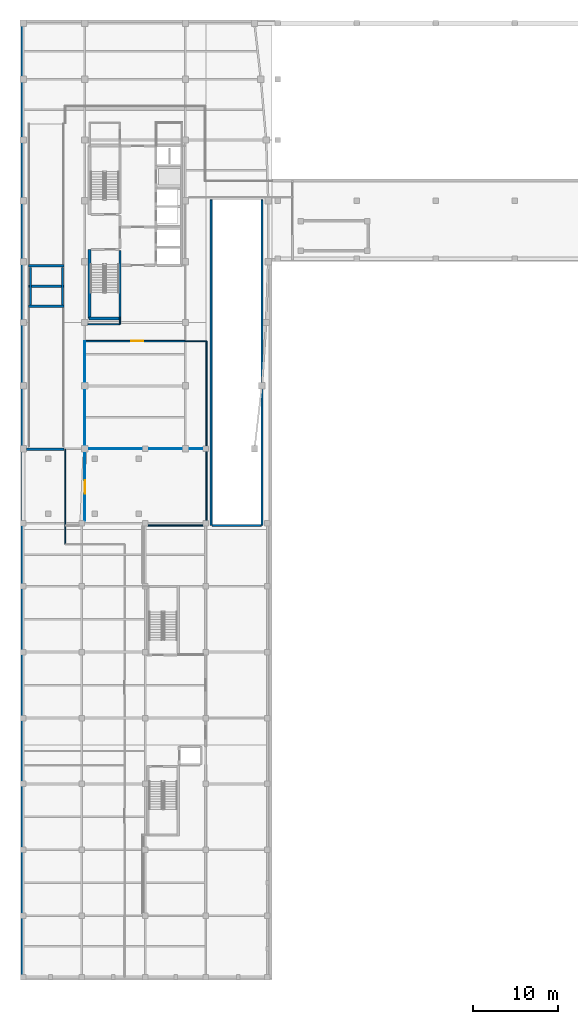
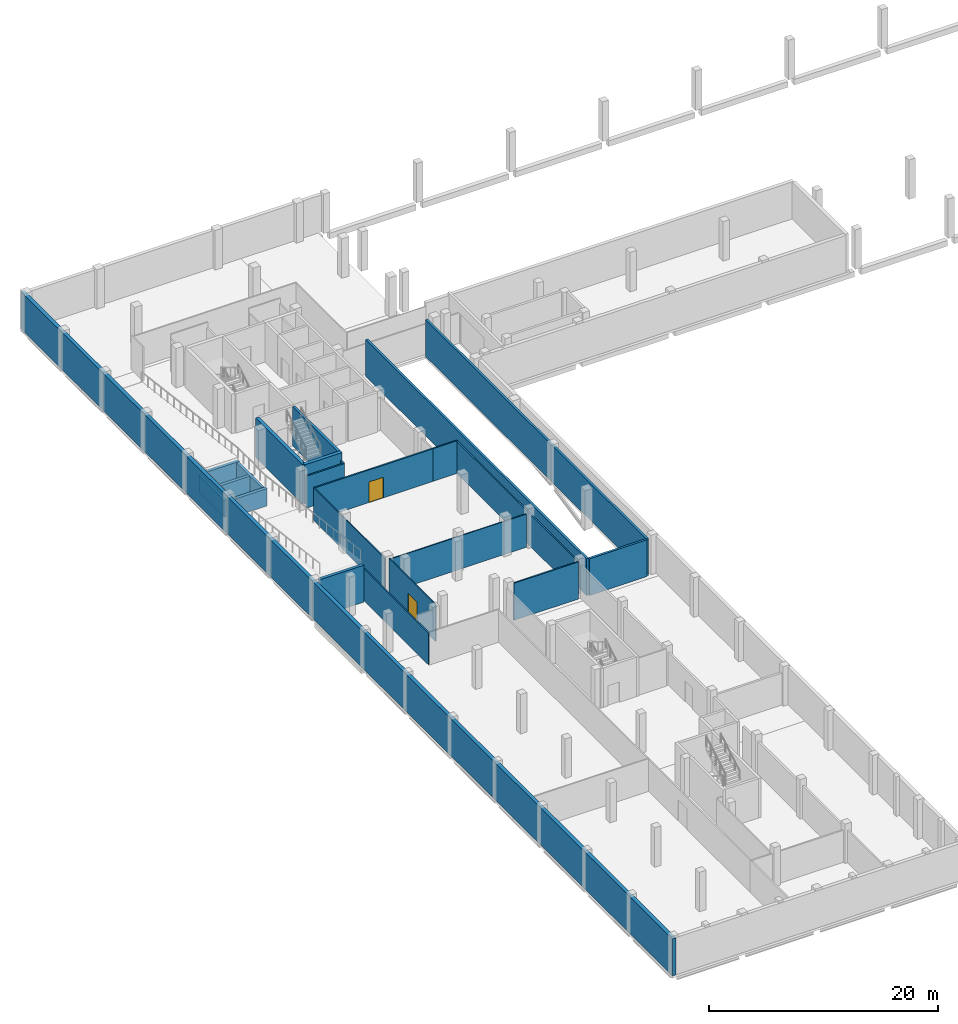
# One storey, part 6 of 15: 23 walls, 2 doors, 2 openings.
"""IFC4 building model written with IfcOpenShell, lengths in metres."""

from ifc_helpers import new_model, si_unit, direction, frame, frame_2d, origin, place, context, subcontext, project, spatial, rectangle, extrude, material, layer, layer_set, type_object, element, fill, save


model = new_model("IFC4")

# Units and contexts
model_context = context("Model", 3, precision=1e-05, world=origin(), true_north=direction((0.0, 1.0)))
body_context = subcontext(model_context, "Body", "Model", "MODEL_VIEW")
ifc_project = project(units=[si_unit("LENGTHUNIT", "METRE"), si_unit("AREAUNIT", "SQUARE_METRE"), si_unit("VOLUMEUNIT", "CUBIC_METRE"), si_unit("PLANEANGLEUNIT", "RADIAN"), si_unit("MASSUNIT", "GRAM", prefix="KILO")], contexts=[model_context])

# Site, building, storey
site_placement = place(None, origin())
site = spatial("IfcSite", under=ifc_project, at=site_placement, CompositionType="ELEMENT")
building_placement = place(site_placement, origin())
building = spatial("IfcBuilding", under=site, at=building_placement, Name="Quillay Park Conservatory", CompositionType="ELEMENT")
storey_placement = place(building_placement, frame((0.0, 0.0, -4.199951171875)))
storey = spatial("IfcBuildingStorey", under=building, at=storey_placement, Name="B1", CompositionType="ELEMENT", Elevation=-4.199951171875)

# Walls
ifc_material_1 = material(Name="Steel-Stud Acoustic Gypsum Board Partition", Category="steel")
ifc_layer_1 = layer(ifc_material_1, 0.10009765625)
ifc_layer_set_1 = layer_set([ifc_layer_1], Name="ACOUSTIC GYPSUM PARTITION 100 (Steel-Stud Acoustic Gypsum Board Partition)")
wall_type_1 = type_object("IfcWallType", Name="ACOUSTIC GYPSUM PARTITION 100", PredefinedType="PARTITIONING", material=ifc_layer_set_1)
wall_1_placement = place(storey_placement, frame((7.85009765625, 75.800048828125, 0.0), z_axis=(0.0, 0.0, 1.0), x_axis=(0.0, -1.0, 0.0)))
element("IfcWall", 1, at=wall_1_placement, inside=storey, type_object=wall_type_1, Name="B1 Water/Library West Wall", PredefinedType="PARTITIONING", context=body_context, shape_type="SweptSolid", body=[
    extrude(rectangle(XDim=12.380126953125, YDim=0.10009765625, at=frame_2d((6.18994140625, 0.0))), origin(), (0.0, 0.0, 1.0), 3.47705078125),
])
ifc_material_2 = material(Name="Steel-Stud Acoustic Gypsum Board Partition", Category="steel")
ifc_layer_2 = layer(ifc_material_2, 0.10498046875)
ifc_layer_set_2 = layer_set([ifc_layer_2], Name="ACOUSTIC GYPSUM PARTITION 105 (Steel-Stud Acoustic Gypsum Board Partition)")
wall_type_2 = type_object("IfcWallType", Name="ACOUSTIC GYPSUM PARTITION 105", PredefinedType="PARTITIONING", material=ifc_layer_set_2)
wall_2_placement = place(storey_placement, frame((8.219970703125, 63.050048828125, 0.0), z_axis=(0.0, 0.0, 1.0), x_axis=(1.0, 0.0, 0.0)))
element("IfcWall", 2, at=wall_2_placement, inside=storey, type_object=wall_type_2, Name="B1 Sub-Plant Mid Divider", PredefinedType="PARTITIONING", context=body_context, shape_type="SweptSolid", body=[
    extrude(rectangle(XDim=13.610107421875, YDim=0.10498046875, at=frame_2d((6.80517578125, 0.0))), origin(), (0.0, 0.0, 1.0), 3.52685546875),
])

# Wall, opening, door
ifc_material_3 = material(Name="Steel-Stud Acoustic Gypsum Board Partition", Category="steel")
ifc_layer_3 = layer(ifc_material_3, 0.110107421875)
ifc_layer_set_3 = layer_set([ifc_layer_3], Name="ACOUSTIC GYPSUM PARTITION 110 (Steel-Stud Acoustic Gypsum Board Partition)")
wall_type_3 = type_object("IfcWallType", Name="ACOUSTIC GYPSUM PARTITION 110", PredefinedType="PARTITIONING", material=ifc_layer_set_3)
wall_3_placement = place(storey_placement, frame((7.85009765625, 54.570068359375, 0.0), z_axis=(0.0, 0.0, 1.0), x_axis=(0.0, 1.0, 0.0)))
wall_3 = element("IfcWall", 3, at=wall_3_placement, inside=storey, type_object=wall_type_3, Name="B1 Sub-Plant West Wall", PredefinedType="PARTITIONING", context=body_context, shape_type="SweptSolid", body=[
    extrude(rectangle(XDim=8.10986328125, YDim=0.110107421875, at=frame_2d((4.054931640625, 0.0))), origin(), (0.0, 0.0, 1.0), 3.949951171875),
])
opening_1_placement = place(wall_3_placement, frame((3.159912109375, 0.0, 0.0)))
opening_1 = element("IfcOpeningElement", 4, at=opening_1_placement, cuts=wall_3, Name="Opening D-PL02", PredefinedType="OPENING", context=body_context, shape_type="SweptSolid", body=[
    extrude(rectangle(XDim=1.60009765625, YDim=2.25, at=frame_2d((0.800048828125, 1.125))), frame((0.0, 0.05517578125, 0.0), z_axis=(0.0, -1.0, 0.0), x_axis=(1.0, 0.0, 0.0)), (0.0, 0.0, 1.0), 0.110107421875),
])
ifc_material_4 = material(Name="Steel ASTM A572 Grade 50", Category="steel")
door_type_1 = type_object("IfcDoorType", Name="FIRE RATED PLANT DOOR 1600 X2250", OperationType="NOTDEFINED", PredefinedType="DOOR", material=ifc_material_4)
door_1_placement = place(opening_1_placement, origin())
door_1 = element("IfcDoor", 5, at=door_1_placement, inside=storey, type_object=door_type_1, Name="B1 Door to B1 Transformer Substation and Standby Generator Room", OperationType="SINGLE_SWING_RIGHT", OverallHeight=2.25, OverallWidth=1.60009765625, PredefinedType="DOOR", context=body_context, shape_type="SweptSolid", body=[
    extrude(rectangle(XDim=1.60009765625, YDim=2.25, at=frame_2d((0.800048828125, 1.125))), frame((0.0, 0.02490234375, 0.0), z_axis=(0.0, -1.0, 0.0), x_axis=(1.0, 0.0, 0.0)), (0.0, 0.0, 1.0), 0.050048828125),
])
fill(opening_1, door_1)

# Walls
ifc_material_5 = material(Name="Steel-Stud Acoustic Gypsum Board Partition", Category="steel")
ifc_layer_4 = layer(ifc_material_5, 0.1201171875)
ifc_layer_set_4 = layer_set([ifc_layer_4], Name="ACOUSTIC GYPSUM PARTITION 120 (Steel-Stud Acoustic Gypsum Board Partition)")
wall_type_4 = type_object("IfcWallType", Name="ACOUSTIC GYPSUM PARTITION 120", PredefinedType="PARTITIONING", material=ifc_layer_set_4)
wall_4_placement = place(storey_placement, frame((5.550048828125, 63.0, 0.0), z_axis=(0.0, 0.0, 1.0), x_axis=(0.0, -1.0, 0.0)))
element("IfcWall", 6, at=wall_4_placement, inside=storey, type_object=wall_type_4, Name="B1 Spine West Wall South", PredefinedType="PARTITIONING", context=body_context, shape_type="SweptSolid", body=[
    extrude(rectangle(XDim=11.219970703125, YDim=0.1201171875, at=frame_2d((5.60986328125, 0.0))), origin(), (0.0, 0.0, 1.0), 3.40087890625),
])
ifc_material_6 = material(Name="Steel-Stud Acoustic Gypsum Board Partition", Category="steel")
ifc_layer_5 = layer(ifc_material_6, 0.1298828125)
ifc_layer_set_5 = layer_set([ifc_layer_5], Name="ACOUSTIC GYPSUM PARTITION 130 (Steel-Stud Acoustic Gypsum Board Partition)")
wall_type_5 = type_object("IfcWallType", Name="ACOUSTIC GYPSUM PARTITION 130", PredefinedType="PARTITIONING", material=ifc_layer_set_5)
wall_5_placement = place(storey_placement, frame((22.25, 54.570068359375, 0.0), z_axis=(0.0, 0.0, 1.0), x_axis=(0.0, 1.0, 0.0)))
element("IfcWall", 7, at=wall_5_placement, inside=storey, type_object=wall_type_5, Name="B1 Sub-Plant East Wall", PredefinedType="PARTITIONING", context=body_context, shape_type="SweptSolid", body=[
    extrude(rectangle(XDim=21.22998046875, YDim=0.1298828125, at=frame_2d((10.614990234375, 0.0))), origin(), (0.0, 0.0, 1.0), 3.40087890625),
])
ifc_material_7 = material(Name="Steel-Stud Acoustic Gypsum Board Partition", Category="steel")
ifc_layer_6 = layer(ifc_material_7, 0.139892578125)
ifc_layer_set_6 = layer_set([ifc_layer_6], Name="ACOUSTIC GYPSUM PARTITION 140 (Steel-Stud Acoustic Gypsum Board Partition)")
wall_type_6 = type_object("IfcWallType", Name="ACOUSTIC GYPSUM PARTITION 140", PredefinedType="PARTITIONING", material=ifc_layer_set_6)
wall_6_placement = place(storey_placement, frame((12.0, 77.800048828125, 0.0), z_axis=(0.0, 0.0, 1.0), x_axis=(0.0, 1.0, 0.0)))
element("IfcWall", 8, at=wall_6_placement, inside=storey, type_object=wall_type_6, Name="B1 Core South Vestibule West Wall", PredefinedType="PARTITIONING", context=body_context, shape_type="SweptSolid", body=[
    extrude(rectangle(XDim=0.849853515625, YDim=0.139892578125, at=frame_2d((0.4248046875, 0.0))), origin(), (0.0, 0.0, 1.0), 3.40087890625),
])
wall_7_placement = place(storey_placement, frame((21.830078125, 53.97998046875, 0.0), z_axis=(0.0, 0.0, 1.0), x_axis=(-1.0, 0.0, 0.0)))
element("IfcWall", 9, at=wall_7_placement, inside=storey, type_object=wall_type_6, Name="B1 East Vault North End Wall", PredefinedType="PARTITIONING", context=body_context, shape_type="SweptSolid", body=[
    extrude(rectangle(XDim=6.510009765625, YDim=0.139892578125, at=frame_2d((3.2548828125, 0.0))), origin(), (0.0, 0.0, 1.0), 3.949951171875),
])
wall_8_placement = place(storey_placement, frame((22.25, 75.800048828125, 0.0), z_axis=(0.0, 0.0, 1.0), x_axis=(-1.0, 0.0, 0.0)))
element("IfcWall", 10, at=wall_8_placement, inside=storey, type_object=wall_type_6, Name="B1 Water/Library North-East Wall", PredefinedType="PARTITIONING", context=body_context, shape_type="SweptSolid", body=[
    extrude(rectangle(XDim=2.5, YDim=0.139892578125, at=frame_2d((1.25, 0.0))), origin(), (0.0, 0.0, 1.0), 3.47705078125),
])
ifc_material_8 = material(Name="Steel-Stud Acoustic Gypsum Board Partition", Category="steel")
ifc_layer_7 = layer(ifc_material_8, 0.14990234375)
ifc_layer_set_7 = layer_set([ifc_layer_7], Name="ACOUSTIC GYPSUM PARTITION 150 (Steel-Stud Acoustic Gypsum Board Partition)")
wall_type_7 = type_object("IfcWallType", Name="ACOUSTIC GYPSUM PARTITION 150", PredefinedType="PARTITIONING", material=ifc_layer_set_7)
wall_9_placement = place(storey_placement, frame((8.219970703125, 77.800048828125, 0.0), z_axis=(0.0, 0.0, 1.0), x_axis=(1.0, 0.0, 0.0)))
element("IfcWall", 11, at=wall_9_placement, inside=storey, type_object=wall_type_7, Name="B1 Core South-West Return", PredefinedType="PARTITIONING", context=body_context, shape_type="SweptSolid", body=[
    extrude(rectangle(XDim=3.780029296875, YDim=0.14990234375, at=frame_2d((1.89013671875, 0.0))), origin(), (0.0, 0.0, 1.0), 3.40087890625),
])

# Wall, opening, door
wall_10_placement = place(storey_placement, frame((19.75, 75.800048828125, 0.0), z_axis=(0.0, 0.0, 1.0), x_axis=(-1.0, 0.0, 0.0)))
wall_10 = element("IfcWall", 12, at=wall_10_placement, inside=storey, type_object=wall_type_7, Name="B1 Water/Library North Wall", PredefinedType="PARTITIONING", context=body_context, shape_type="SweptSolid", body=[
    extrude(rectangle(XDim=11.89990234375, YDim=0.14990234375, at=frame_2d((5.949951171875, 0.0))), origin(), (0.0, 0.0, 1.0), 3.47705078125),
])
opening_2_placement = place(wall_10_placement, frame((4.97509765625, 0.0, 0.0)))
opening_2 = element("IfcOpeningElement", 13, at=opening_2_placement, cuts=wall_10, Name="Opening D-PL01", PredefinedType="OPENING", context=body_context, shape_type="SweptSolid", body=[
    extrude(rectangle(XDim=1.449951171875, YDim=2.199951171875, at=frame_2d((0.72509765625, 1.10009765625))), frame((0.0, 0.074951171875, 0.0), z_axis=(0.0, -1.0, 0.0), x_axis=(1.0, 0.0, 0.0)), (0.0, 0.0, 1.0), 0.14990234375),
])
ifc_material_9 = material(Name="Steel ASTM A572 Grade 50", Category="steel")
door_type_2 = type_object("IfcDoorType", Name="FIRE RATED PLANT DOOR 1450 X2200", OperationType="NOTDEFINED", PredefinedType="DOOR", material=ifc_material_9)
door_2_placement = place(opening_2_placement, origin())
door_2 = element("IfcDoor", 14, at=door_2_placement, inside=storey, type_object=door_type_2, Name="B1 Door to B1 Botanical Library Compact Stack Vault", OperationType="SINGLE_SWING_LEFT", OverallHeight=2.199951171875, OverallWidth=1.449951171875, PredefinedType="DOOR", context=body_context, shape_type="SweptSolid", body=[
    extrude(rectangle(XDim=1.449951171875, YDim=2.199951171875, at=frame_2d((0.72509765625, 1.10009765625))), frame((0.0, 0.02490234375, 0.0), z_axis=(0.0, -1.0, 0.0), x_axis=(1.0, 0.0, 0.0)), (0.0, 0.0, 1.0), 0.050048828125),
])
fill(opening_2, door_2)

# Walls
ifc_material_10 = material(Name="Concrete C35/45 (NCh170 Concrete C35/45)", Category="concrete")
ifc_layer_8 = layer(ifc_material_10, 0.22509765625)
ifc_layer_set_8 = layer_set([ifc_layer_8], Name="CORE SHEAR WALL 225 (Concrete C35/45 (NCh170 Concrete C35/45))")
wall_type_8 = type_object("IfcWallType", Name="CORE SHEAR WALL 225", PredefinedType="SHEAR", material=ifc_layer_set_8)
for number, where, z_axis, x_axis, name in (
    (15, (22.78759765625, 53.987548828125, 0.0), (0.0, 0.0, 1.0), (0.0, 1.0, 0.0), "B1 Core Shear Wall WL-RMP2-W"),
    (16, (28.8125, 53.987548828125, 0.0), (0.0, 0.0, 1.0), (0.0, 1.0, 0.0), "B1 Core Shear Wall WL-RMP2-E"),
):
    element("IfcWall", number, at=place(storey_placement, frame(where, z_axis=z_axis, x_axis=x_axis)), inside=storey, type_object=wall_type_8, Name=name, PredefinedType="SHEAR", context=body_context, shape_type="SweptSolid", body=[
        extrude(rectangle(XDim=38.512451171875, YDim=0.22509765625, at=frame_2d((19.25634765625, 0.0))), origin(), (0.0, 0.0, 1.0), 3.919921875),
    ])
wall_11_placement = place(storey_placement, frame((22.89990234375, 53.987548828125, 0.0), z_axis=(0.0, 0.0, 1.0), x_axis=(1.0, 0.0, 0.0)))
element("IfcWall", 17, at=wall_11_placement, inside=storey, type_object=wall_type_8, Name="B1 Core Shear Wall WL-RMP2-S", PredefinedType="SHEAR", context=body_context, shape_type="SweptSolid", body=[
    extrude(rectangle(XDim=5.800048828125, YDim=0.22509765625, at=frame_2d((2.89990234375, 0.0))), origin(), (0.0, 0.0, 1.0), 3.919921875),
])
ifc_material_11 = material(Name="Concrete C40/50 (NCh170 Concrete C40/50)", Category="concrete")
ifc_layer_9 = layer(ifc_material_11, 0.25)
ifc_layer_set_9 = layer_set([ifc_layer_9], Name="CORE SHEAR WALL 250 (Concrete C40/50 (NCh170 Concrete C40/50))")
wall_type_9 = type_object("IfcWallType", Name="CORE SHEAR WALL 250", PredefinedType="SHEAR", material=ifc_layer_set_9)
wall_12_placement = place(storey_placement, frame((11.9951171875, 78.64990234375, 0.0), z_axis=(0.0, 0.0, 1.0), x_axis=(0.0, 1.0, 0.0)))
element("IfcWall", 18, at=wall_12_placement, inside=storey, type_object=wall_type_9, Name="B1 Core Shear Wall WL-T2E-B1", PredefinedType="SHEAR", context=body_context, shape_type="SweptSolid", body=[
    extrude(rectangle(XDim=7.85009765625, YDim=0.25, at=frame_2d((3.925048828125, 0.0))), origin(), (0.0, 0.0, 1.0), 4.199951171875),
])
for number, where, z_axis, x_axis, name in (
    (19, (1.39990234375, 80.10009765625, 0.0), (0.0, 0.0, 1.0), (0.0, 1.0, 0.0), "B1 Core Shear Wall WL-RMP1-LONGB1-1"),
    (20, (5.199951171875, 80.10009765625, 0.0), (0.0, 0.0, 1.0), (0.0, 1.0, 0.0), "B1 Core Shear Wall WL-RMP1-LONGB1-2"),
):
    element("IfcWall", number, at=place(storey_placement, frame(where, z_axis=z_axis, x_axis=x_axis)), inside=storey, type_object=wall_type_9, Name=name, PredefinedType="SHEAR", context=body_context, shape_type="SweptSolid", body=[
        extrude(rectangle(XDim=4.39990234375, YDim=0.25, at=frame_2d((2.199951171875, 0.0))), origin(), (0.0, 0.0, 1.0), 1.820068359375),
    ])
ifc_material_12 = material(Name="Concrete C40/50 (NCh170 Concrete C40/50)", Category="concrete")
ifc_layer_10 = layer(ifc_material_12, 0.300048828125)
ifc_layer_set_10 = layer_set([ifc_layer_10], Name="CORE SHEAR WALL 300 (Concrete C40/50 (NCh170 Concrete C40/50))")
wall_type_10 = type_object("IfcWallType", Name="CORE SHEAR WALL 300", PredefinedType="SHEAR", material=ifc_layer_set_10)
wall_13_placement = place(storey_placement, frame((0.925048828125, 63.0, 0.0), z_axis=(0.0, 0.0, 1.0), x_axis=(1.0, 0.0, 0.0)))
element("IfcWall", 21, at=wall_13_placement, inside=storey, type_object=wall_type_10, Name="B1 Core Shear Wall WL-RMP1-PIERB1-1", PredefinedType="SHEAR", context=body_context, shape_type="SweptSolid", body=[
    extrude(rectangle(XDim=4.474853515625, YDim=0.300048828125, at=frame_2d((2.2373046875, 0.0))), origin(), (0.0, 0.0, 1.0), 3.93505859375),
])
wall_14_placement = place(storey_placement, frame((1.199951171875, 79.89990234375, 0.0), z_axis=(0.0, 0.0, 1.0), x_axis=(1.0, 0.0, 0.0)))
element("IfcWall", 22, at=wall_14_placement, inside=storey, type_object=wall_type_10, Name="B1 Core Shear Wall WL-RMP1-PIERB1-2", PredefinedType="SHEAR", context=body_context, shape_type="SweptSolid", body=[
    extrude(rectangle(XDim=4.199951171875, YDim=0.300048828125, at=frame_2d((2.10009765625, 0.0))), origin(), (0.0, 0.0, 1.0), 1.83984375),
])
wall_15_placement = place(storey_placement, frame((1.199951171875, 82.300048828125, 0.0), z_axis=(0.0, 0.0, 1.0), x_axis=(1.0, 0.0, 0.0)))
element("IfcWall", 23, at=wall_15_placement, inside=storey, type_object=wall_type_10, Name="B1 Core Shear Wall WL-RMP1-PIERB1-3", PredefinedType="SHEAR", context=body_context, shape_type="SweptSolid", body=[
    extrude(rectangle(XDim=4.199951171875, YDim=0.300048828125, at=frame_2d((2.10009765625, 0.0))), origin(), (0.0, 0.0, 1.0), 1.820068359375),
])
wall_16_placement = place(storey_placement, frame((1.199951171875, 84.699951171875, 0.0), z_axis=(0.0, 0.0, 1.0), x_axis=(1.0, 0.0, 0.0)))
element("IfcWall", 24, at=wall_16_placement, inside=storey, type_object=wall_type_10, Name="B1 Core Shear Wall WL-RMP1-PIERB1-4", PredefinedType="SHEAR", context=body_context, shape_type="SweptSolid", body=[
    extrude(rectangle(XDim=4.199951171875, YDim=0.300048828125, at=frame_2d((2.10009765625, 0.0))), origin(), (0.0, 0.0, 1.0), 1.8349609375),
])
ifc_material_13 = material(Name="Concrete C40/50 (NCh170 Concrete C40/50)", Category="concrete")
ifc_layer_11 = layer(ifc_material_13, 0.35009765625)
ifc_layer_set_11 = layer_set([ifc_layer_11], Name="CORE SHEAR WALL 350 (Concrete C40/50 (NCh170 Concrete C40/50))")
wall_type_11 = type_object("IfcWallType", Name="CORE SHEAR WALL 350", PredefinedType="SHEAR", material=ifc_layer_set_11)
wall_17_placement = place(storey_placement, frame((8.375, 78.449951171875, 0.0), z_axis=(0.0, 0.0, 1.0), x_axis=(0.0, 1.0, 0.0)))
element("IfcWall", 25, at=wall_17_placement, inside=storey, type_object=wall_type_11, Name="B1 Core Shear Wall WL-TCW-S-B1", PredefinedType="SHEAR", context=body_context, shape_type="SweptSolid", body=[
    extrude(rectangle(XDim=8.175048828125, YDim=0.35009765625, at=frame_2d((4.08740234375, 0.0))), origin(), (0.0, 0.0, 1.0), 4.199951171875),
])
wall_18_placement = place(storey_placement, frame((8.35009765625, 78.47509765625, 0.0), z_axis=(0.0, 0.0, 1.0), x_axis=(1.0, 0.0, 0.0)))
element("IfcWall", 26, at=wall_18_placement, inside=storey, type_object=wall_type_11, Name="B1 Core Shear Wall WL-TCS-B1", PredefinedType="SHEAR", context=body_context, shape_type="SweptSolid", body=[
    extrude(rectangle(XDim=3.77001953125, YDim=0.35009765625, at=frame_2d((1.885009765625, 0.0))), origin(), (0.0, 0.0, 1.0), 4.199951171875),
])
ifc_material_14 = material(Name="Concrete C35/45 (NCh170 Concrete C35/45)", Category="concrete")
ifc_layer_12 = layer(ifc_material_14, 0.360107421875)
ifc_layer_set_12 = layer_set([ifc_layer_12], Name="RETAINING WALL 360 (Concrete C35/45 (NCh170 Concrete C35/45))")
wall_type_12 = type_object("IfcWallType", Name="RETAINING WALL 360", PredefinedType="USERDEFINED", material=ifc_layer_set_12)
wall_19_placement = place(storey_placement, frame((0.449951171875, 0.199951171875, 0.0), z_axis=(0.0, 0.0, 1.0), x_axis=(0.0, 1.0, 0.0)))
element("IfcWall", 27, at=wall_19_placement, inside=storey, type_object=wall_type_12, Name="B1 Perimeter Retaining Wall 01", ObjectType="RETAINING WALL", PredefinedType="USERDEFINED", context=body_context, shape_type="SweptSolid", body=[
    extrude(rectangle(XDim=113.60009765625, YDim=0.360107421875, at=frame_2d((56.800048828125, 0.0))), origin(), (0.0, 0.0, 1.0), 3.949951171875),
])

save(model, "model.ifc")
